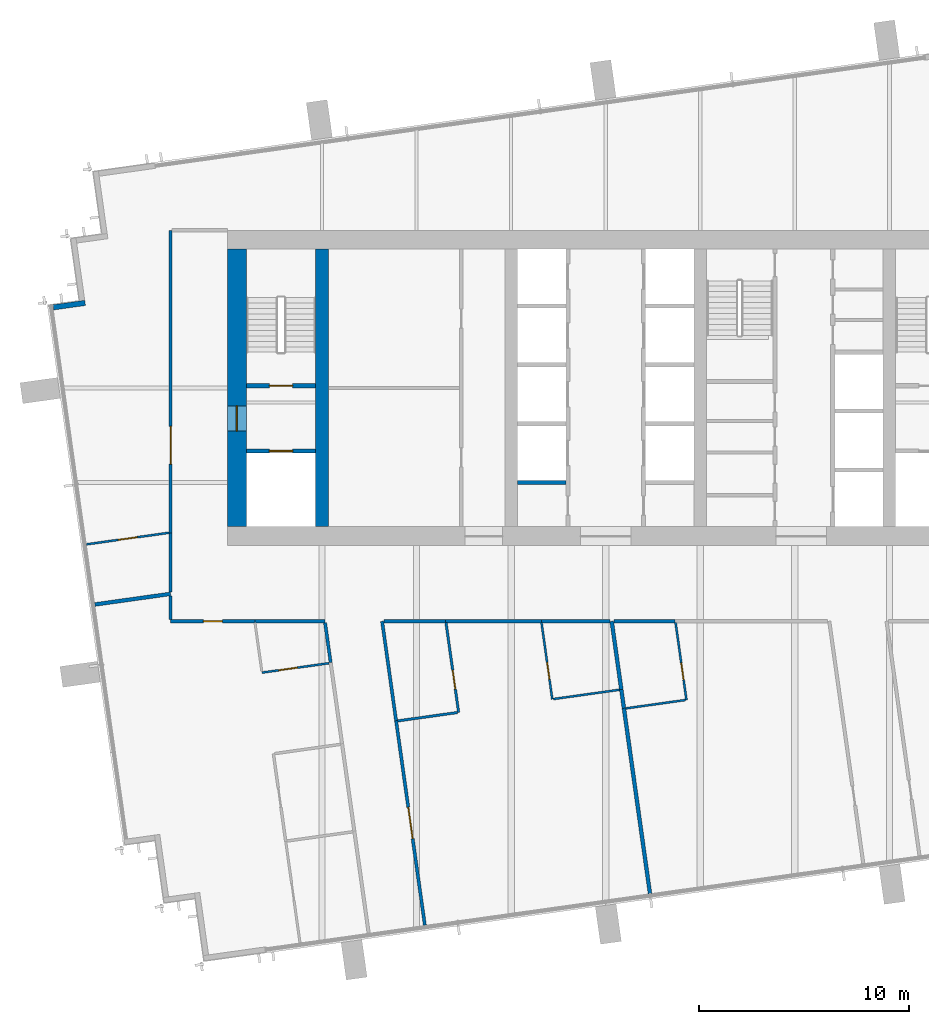
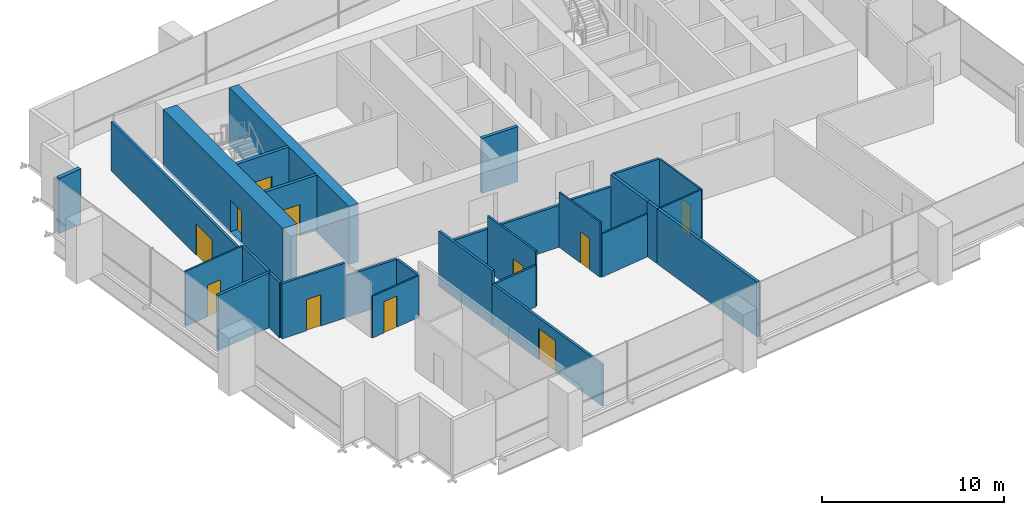
# One storey, part 8 of 12: 30 walls, 11 doors, 11 openings.
"""IFC4 building model written with IfcOpenShell, lengths in metres."""

from ifc_helpers import new_model, si_unit, direction, frame, frame_2d, origin, place, context, subcontext, project, spatial, rectangle, extrude, material, layer, layer_set, type_object, element, fill, save


model = new_model("IFC4")

# Units and contexts
model_context = context("Model", 3, precision=1e-05, world=origin(), true_north=direction((0.0, 1.0)))
body_context = subcontext(model_context, "Body", "Model", "MODEL_VIEW")
ifc_project = project(units=[si_unit("LENGTHUNIT", "METRE"), si_unit("AREAUNIT", "SQUARE_METRE"), si_unit("VOLUMEUNIT", "CUBIC_METRE"), si_unit("PLANEANGLEUNIT", "RADIAN"), si_unit("MASSUNIT", "GRAM", prefix="KILO")], contexts=[model_context])

# Site, building, storey
site_placement = place(None, origin())
site = spatial("IfcSite", under=ifc_project, at=site_placement, CompositionType="ELEMENT")
building_placement = place(site_placement, origin())
building = spatial("IfcBuilding", under=site, at=building_placement, Name="Rattan Terrace Tower", CompositionType="ELEMENT")
storey_placement = place(building_placement, frame((0.0, 0.0, 270.699951171875)))
storey = spatial("IfcBuildingStorey", under=building, at=storey_placement, Name="L62", CompositionType="ELEMENT", Elevation=270.699951171875)

# Wall, opening, door
ifc_material_1 = material(Name="Gypsum board partition")
ifc_layer_1 = layer(ifc_material_1, 0.199951171875)
ifc_layer_set_1 = layer_set([ifc_layer_1], Name="Core partition 200")
wall_type_1 = type_object("IfcWallType", Name="Core partition 200", PredefinedType="PARTITIONING", material=ifc_layer_set_1)
wall_1_placement = place(storey_placement, frame((-17.10009765625, -3.0, 0.0), z_axis=(0.0, 0.0, 1.0), x_axis=(1.0, 0.0, 0.0)))
wall_1 = element("IfcWall", 1, at=wall_1_placement, inside=storey, type_object=wall_type_1, Name="Fire-fighting lobby wall", PredefinedType="PARTITIONING", context=body_context, shape_type="SweptSolid", body=[
    extrude(rectangle(XDim=3.300048828125, YDim=0.199951171875, at=frame_2d((1.64990234375, 0.0))), origin(), (0.0, 0.0, 1.0), 3.699951171875),
])
opening_1_placement = place(wall_1_placement, frame((1.10009765625, 0.0, 0.0)))
opening_1 = element("IfcOpeningElement", 2, at=opening_1_placement, cuts=wall_1, Name="Opening L62-LD-FF1", PredefinedType="OPENING", context=body_context, shape_type="SweptSolid", body=[
    extrude(rectangle(XDim=1.10009765625, YDim=2.10009765625, at=frame_2d((0.550048828125, 1.050048828125))), frame((0.0, 0.110595703125, 0.0), z_axis=(0.0, -1.0, 0.0), x_axis=(1.0, 0.0, 0.0)), (0.0, 0.0, 1.0), 0.220947265625),
])
ifc_material_2 = material(Name="Brushed stainless landing door panel")
door_type_1 = type_object("IfcDoorType", Name="Core lift landing door 1100", OperationType="DOUBLE_DOOR_SLIDING", PredefinedType="DOOR", material=ifc_material_2)
door_1_placement = place(opening_1_placement, origin())
door_1 = element("IfcDoor", 3, at=door_1_placement, inside=storey, type_object=door_type_1, Name="Door L62-LD-FF1", OperationType="DOUBLE_DOOR_SLIDING", OverallHeight=2.10009765625, OverallWidth=1.10009765625, PredefinedType="DOOR", context=body_context, shape_type="SweptSolid", body=[
    extrude(rectangle(XDim=1.10009765625, YDim=2.10009765625, at=frame_2d((0.550048828125, 1.050048828125))), frame((0.0, 0.02490234375, 0.0), z_axis=(0.0, -1.0, 0.0), x_axis=(1.0, 0.0, 0.0)), (0.0, 0.0, 1.0), 0.050048828125),
])
fill(opening_1, door_1)

wall_2_placement = place(storey_placement, frame((-17.10009765625, 0.10009765625, 0.0), z_axis=(0.0, 0.0, 1.0), x_axis=(1.0, 0.0, 0.0)))
wall_2 = element("IfcWall", 4, at=wall_2_placement, inside=storey, type_object=wall_type_1, Name="Stair enclosure wall", PredefinedType="PARTITIONING", context=body_context, shape_type="SweptSolid", body=[
    extrude(rectangle(XDim=3.300048828125, YDim=0.199951171875, at=frame_2d((1.64990234375, 0.0))), origin(), (0.0, 0.0, 1.0), 3.699951171875),
])
opening_2_placement = place(wall_2_placement, frame((1.10009765625, 0.0, 0.0)))
opening_2 = element("IfcOpeningElement", 5, at=opening_2_placement, cuts=wall_2, Name="Opening L62-D002", PredefinedType="OPENING", context=body_context, shape_type="SweptSolid", body=[
    extrude(rectangle(XDim=1.10009765625, YDim=2.10009765625, at=frame_2d((0.550048828125, 1.050048828125))), frame((0.0, 0.110595703125, 0.0), z_axis=(0.0, -1.0, 0.0), x_axis=(1.0, 0.0, 0.0)), (0.0, 0.0, 1.0), 0.220947265625),
])
ifc_material_3 = material(Name="Hollow-metal fire door leaf")
door_type_2 = type_object("IfcDoorType", Name="Core stair door 1100", OperationType="NOTDEFINED", PredefinedType="DOOR", material=ifc_material_3)
door_2_placement = place(opening_2_placement, origin())
door_2 = element("IfcDoor", 6, at=door_2_placement, inside=storey, type_object=door_type_2, Name="Door L62-D002", OperationType="SINGLE_SWING_LEFT", OverallHeight=2.10009765625, OverallWidth=1.10009765625, PredefinedType="DOOR", context=body_context, shape_type="SweptSolid", body=[
    extrude(rectangle(XDim=1.10009765625, YDim=2.10009765625, at=frame_2d((0.550048828125, 1.050048828125))), frame((0.0, 0.02490234375, 0.0), z_axis=(0.0, -1.0, 0.0), x_axis=(1.0, 0.0, 0.0)), (0.0, 0.0, 1.0), 0.050048828125),
])
fill(opening_2, door_2)

ifc_material_4 = material(Name="Concrete C50/60", Category="concrete")
ifc_layer_2 = layer(ifc_material_4, 0.89990234375)
ifc_layer_set_2 = layer_set([ifc_layer_2], Name="Core ring wall 900 C50/60")
wall_type_2 = type_object("IfcWallType", Name="Core ring wall 900 C50/60", PredefinedType="SHEAR", material=ifc_layer_set_2)
wall_3_placement = place(storey_placement, frame((-17.550048828125, -6.60009765625, -0.199951171875), z_axis=(0.0, 0.0, 1.0), x_axis=(0.0, 1.0, 0.0)))
wall_3 = element("IfcWall", 7, at=wall_3_placement, inside=storey, type_object=wall_type_2, Name="Rear core wall west", PredefinedType="SHEAR", context=body_context, shape_type="SweptSolid", body=[
    extrude(rectangle(XDim=13.2001953125, YDim=0.89990234375, at=frame_2d((6.60009765625, 0.0))), origin(), (0.0, 0.0, 1.0), 3.89990234375),
])
opening_3_placement = place(wall_3_placement, frame((4.550048828125, 0.0, 0.199951171875)))
opening_3 = element("IfcOpeningElement", 8, at=opening_3_placement, cuts=wall_3, Name="Opening L62-D001", PredefinedType="OPENING", context=body_context, shape_type="SweptSolid", body=[
    extrude(rectangle(XDim=1.199951171875, YDim=2.10009765625, at=frame_2d((0.60009765625, 1.050048828125))), frame((0.0, 0.46044921875, 0.0), z_axis=(0.0, -1.0, 0.0), x_axis=(1.0, 0.0, 0.0)), (0.0, 0.0, 1.0), 0.9208984375),
])
ifc_material_5 = material(Name="Hollow-metal fire door leaf")
door_type_3 = type_object("IfcDoorType", Name="Core fire-fighting lobby door 1200", OperationType="NOTDEFINED", PredefinedType="DOOR", material=ifc_material_5)
door_3_placement = place(opening_3_placement, origin())
door_3 = element("IfcDoor", 9, at=door_3_placement, inside=storey, type_object=door_type_3, Name="Door L62-D001", OperationType="SINGLE_SWING_RIGHT", OverallHeight=2.10009765625, OverallWidth=1.199951171875, PredefinedType="DOOR", context=body_context, shape_type="SweptSolid", body=[
    extrude(rectangle(XDim=1.199951171875, YDim=2.10009765625, at=frame_2d((0.60009765625, 1.050048828125))), frame((0.0, 0.02490234375, 0.0), z_axis=(0.0, -1.0, 0.0), x_axis=(1.0, 0.0, 0.0)), (0.0, 0.0, 1.0), 0.050048828125),
])
fill(opening_3, door_3)

# Walls
ifc_material_6 = material(Name="Concrete C50/60", Category="concrete")
ifc_layer_3 = layer(ifc_material_6, 0.60009765625)
ifc_layer_set_3 = layer_set([ifc_layer_3], Name="Core spine wall 600 C50/60")
wall_type_3 = type_object("IfcWallType", Name="Core spine wall 600 C50/60", PredefinedType="SHEAR", material=ifc_layer_set_3)
wall_4_placement = place(storey_placement, frame((-13.5, -6.60009765625, -0.199951171875), z_axis=(0.0, 0.0, 1.0), x_axis=(0.0, 1.0, 0.0)))
element("IfcWall", 10, at=wall_4_placement, inside=storey, type_object=wall_type_3, Name="Core spine wall 1", PredefinedType="SHEAR", context=body_context, shape_type="SweptSolid", body=[
    extrude(rectangle(XDim=13.2001953125, YDim=0.60009765625, at=frame_2d((6.60009765625, 0.0))), origin(), (0.0, 0.0, 1.0), 3.89990234375),
])
ifc_material_7 = material(Name="Insulated aluminium-clad stud wall", Category="aluminium")
ifc_layer_4 = layer(ifc_material_7, 0.25)
ifc_layer_set_4 = layer_set([ifc_layer_4], Name="Facade Riser Wall 250")
wall_type_4 = type_object("IfcWallType", Name="Facade Riser Wall 250", PredefinedType="SOLIDWALL", material=ifc_layer_set_4)
wall_5_placement = place(storey_placement, frame((-24.769287109375, 4.045654296875, 0.0), z_axis=(0.0, 0.0, 1.0), x_axis=(-0.990260716096, -0.139225407725, 0.0)))
element("IfcWall", 11, at=wall_5_placement, inside=storey, type_object=wall_type_4, Name="Riser wall L62-15", PredefinedType="SOLIDWALL", context=body_context, shape_type="SweptSolid", body=[
    extrude(rectangle(XDim=1.525634765625, YDim=0.25, at=frame_2d((0.7626953125, 0.0))), origin(), (0.0, 0.0, 1.0), 3.699951171875),
])
ifc_material_8 = material(Name="Double steel stud acoustic partition, gypsum board, mineral wool, fire rated", Category="steel")
ifc_layer_5 = layer(ifc_material_8, 0.179931640625)
ifc_layer_set_5 = layer_set([ifc_layer_5], Name="Floors Acoustic Party Wall 180")
wall_type_5 = type_object("IfcWallType", Name="Floors Acoustic Party Wall 180", PredefinedType="PARTITIONING", material=ifc_layer_set_5)
wall_6_placement = place(storey_placement, frame((-24.303955078125, -10.302978515625, 0.0), z_axis=(0.0, 0.0, 1.0), x_axis=(0.990292681193, 0.138997861769, 0.0)))
element("IfcWall", 12, at=wall_6_placement, inside=storey, type_object=wall_type_5, Name="pt-L62-031", PredefinedType="PARTITIONING", context=body_context, shape_type="SweptSolid", body=[
    extrude(rectangle(XDim=3.639404296875, YDim=0.179931640625, at=frame_2d((1.81982421875, 0.0))), origin(), (0.0, 0.0, 1.0), 3.699951171875),
])
wall_7_placement = place(storey_placement, frame((0.867919921875, -15.239013671875, 0.0), z_axis=(0.0, 0.0, 1.0), x_axis=(0.139233409815, -0.990259591012, 0.0)))
element("IfcWall", 13, at=wall_7_placement, inside=storey, type_object=wall_type_5, Name="pt-L62-041", PredefinedType="PARTITIONING", context=body_context, shape_type="SweptSolid", body=[
    extrude(rectangle(XDim=8.90576171875, YDim=0.179931640625, at=frame_2d((4.452880859375, 0.0))), origin(), (0.0, 0.0, 1.0), 3.699951171875),
])
wall_8_placement = place(storey_placement, frame((0.742919921875, -14.34912109375, 0.0), z_axis=(0.0, 0.0, 1.0), x_axis=(0.139100809785, -0.990278225913, 0.0)))
element("IfcWall", 14, at=wall_8_placement, inside=storey, type_object=wall_type_5, Name="pt-L62-042", PredefinedType="PARTITIONING", context=body_context, shape_type="SweptSolid", body=[
    extrude(rectangle(XDim=0.898681640625, YDim=0.179931640625, at=frame_2d((0.44921875, 0.0))), origin(), (0.0, 0.0, 1.0), 3.699951171875),
])
wall_9_placement = place(storey_placement, frame((0.287109375, -11.10009765625, 0.0), z_axis=(0.0, 0.0, 1.0), x_axis=(0.13898222456, -0.990294875911, 0.0)))
element("IfcWall", 15, at=wall_9_placement, inside=storey, type_object=wall_type_5, Name="pt-L62-043", PredefinedType="PARTITIONING", context=body_context, shape_type="SweptSolid", body=[
    extrude(rectangle(XDim=3.279541015625, YDim=0.179931640625, at=frame_2d((1.6396484375, 0.0))), origin(), (0.0, 0.0, 1.0), 3.699951171875),
])

# Wall, opening, door
ifc_material_9 = material(Name="Gypsum board partition on steel studs", Category="steel")
ifc_layer_6 = layer(ifc_material_9, 0.10009765625)
ifc_layer_set_6 = layer_set([ifc_layer_6], Name="Floors Partition 100")
wall_type_6 = type_object("IfcWallType", Name="Floors Partition 100", PredefinedType="PARTITIONING", material=ifc_layer_set_6)
wall_10_placement = place(storey_placement, frame((-16.35205078125, -13.544921875, 0.0), z_axis=(0.0, 0.0, 1.0), x_axis=(0.990264894561, 0.13919568456, 0.0)))
wall_10 = element("IfcWall", 16, at=wall_10_placement, inside=storey, type_object=wall_type_6, Name="pt-L62-030", PredefinedType="PARTITIONING", context=body_context, shape_type="SweptSolid", body=[
    extrude(rectangle(XDim=3.2255859375, YDim=0.10009765625, at=frame_2d((1.61279296875, 0.0))), origin(), (0.0, 0.0, 1.0), 2.800048828125),
])
opening_4_placement = place(wall_10_placement, frame((0.798095703125, 0.0, 0.0)))
opening_4 = element("IfcOpeningElement", 17, at=opening_4_placement, cuts=wall_10, Name="Opening L62-D103", PredefinedType="OPENING", context=body_context, shape_type="SweptSolid", body=[
    extrude(rectangle(XDim=0.89990234375, YDim=2.10009765625, at=frame_2d((0.449951171875, 1.050048828125))), frame((0.0, 0.060546875, 0.0), z_axis=(0.0, -1.0, 0.0), x_axis=(1.0, 0.0, 0.0)), (0.0, 0.0, 1.0), 0.12109375),
])
ifc_material_10 = material(Name="Solid core timber door, painted", Category="wood")
door_type_4 = type_object("IfcDoorType", Name="Floors Door 900x2100", OperationType="NOTDEFINED", PredefinedType="DOOR", material=ifc_material_10)
door_4_placement = place(opening_4_placement, origin())
door_4 = element("IfcDoor", 18, at=door_4_placement, inside=storey, type_object=door_type_4, Name="d-L62-103", OperationType="SINGLE_SWING_LEFT", OverallHeight=2.10009765625, OverallWidth=0.89990234375, PredefinedType="DOOR", context=body_context, shape_type="SweptSolid", body=[
    extrude(rectangle(XDim=0.89990234375, YDim=2.10009765625, at=frame_2d((0.449951171875, 1.050048828125))), frame((0.0, 0.02490234375, 0.0), z_axis=(0.0, -1.0, 0.0), x_axis=(1.0, 0.0, 0.0)), (0.0, 0.0, 1.0), 0.050048828125),
])
fill(opening_4, door_4)

wall_11_placement = place(storey_placement, frame((-20.76806640625, -6.889892578125, 0.0), z_axis=(0.0, 0.0, 1.0), x_axis=(-0.990313393589, -0.138850215981, 0.0)))
wall_11 = element("IfcWall", 19, at=wall_11_placement, inside=storey, type_object=wall_type_6, Name="pt-L62-035", PredefinedType="PARTITIONING", context=body_context, shape_type="SweptSolid", body=[
    extrude(rectangle(XDim=3.9755859375, YDim=0.10009765625, at=frame_2d((1.98779296875, 0.0))), origin(), (0.0, 0.0, 1.0), 3.699951171875),
])
opening_5_placement = place(wall_11_placement, frame((1.5380859375, 0.0, 0.0)))
opening_5 = element("IfcOpeningElement", 20, at=opening_5_placement, cuts=wall_11, Name="Opening L62-D107", PredefinedType="OPENING", context=body_context, shape_type="SweptSolid", body=[
    extrude(rectangle(XDim=0.89990234375, YDim=2.10009765625, at=frame_2d((0.449951171875, 1.050048828125))), frame((0.0, 0.060546875, 0.0), z_axis=(0.0, -1.0, 0.0), x_axis=(1.0, 0.0, 0.0)), (0.0, 0.0, 1.0), 0.12109375),
])
door_5_placement = place(opening_5_placement, origin())
door_5 = element("IfcDoor", 21, at=door_5_placement, inside=storey, type_object=door_type_4, Name="d-L62-107", OperationType="SINGLE_SWING_RIGHT", OverallHeight=2.10009765625, OverallWidth=0.89990234375, PredefinedType="DOOR", context=body_context, shape_type="SweptSolid", body=[
    extrude(rectangle(XDim=0.89990234375, YDim=2.10009765625, at=frame_2d((0.449951171875, 1.050048828125))), frame((0.0, 0.02490234375, 0.0), z_axis=(0.0, -1.0, 0.0), x_axis=(1.0, 0.0, 0.0)), (0.0, 0.0, 1.0), 0.050048828125),
])
fill(opening_5, door_5)

wall_12_placement = place(storey_placement, frame((-3.052978515625, -11.16796875, 0.0), z_axis=(0.0, 0.0, 1.0), x_axis=(0.139199908751, -0.990264300782, 0.0)))
wall_12 = element("IfcWall", 22, at=wall_12_placement, inside=storey, type_object=wall_type_6, Name="pt-L62-039", PredefinedType="PARTITIONING", context=body_context, shape_type="SweptSolid", body=[
    extrude(rectangle(XDim=3.677978515625, YDim=0.10009765625, at=frame_2d((1.8388671875, 0.0))), origin(), (0.0, 0.0, 1.0), 3.699951171875),
])
opening_6_placement = place(wall_12_placement, frame((1.9150390625, 0.0, 0.0)))
opening_6 = element("IfcOpeningElement", 23, at=opening_6_placement, cuts=wall_12, Name="Opening L62-D111", PredefinedType="OPENING", context=body_context, shape_type="SweptSolid", body=[
    extrude(rectangle(XDim=0.800048828125, YDim=2.10009765625, at=frame_2d((0.39990234375, 1.050048828125))), frame((0.0, 0.060546875, 0.0), z_axis=(0.0, -1.0, 0.0), x_axis=(1.0, 0.0, 0.0)), (0.0, 0.0, 1.0), 0.12109375),
])
ifc_material_11 = material(Name="Solid core timber door, painted", Category="wood")
door_type_5 = type_object("IfcDoorType", Name="Floors Store Door 800x2100", OperationType="NOTDEFINED", PredefinedType="DOOR", material=ifc_material_11)
door_6_placement = place(opening_6_placement, origin())
door_6 = element("IfcDoor", 24, at=door_6_placement, inside=storey, type_object=door_type_5, Name="d-L62-111", OperationType="SINGLE_SWING_RIGHT", OverallHeight=2.10009765625, OverallWidth=0.800048828125, PredefinedType="DOOR", context=body_context, shape_type="SweptSolid", body=[
    extrude(rectangle(XDim=0.800048828125, YDim=2.10009765625, at=frame_2d((0.39990234375, 1.050048828125))), frame((0.0, 0.02490234375, 0.0), z_axis=(0.0, -1.0, 0.0), x_axis=(1.0, 0.0, 0.0)), (0.0, 0.0, 1.0), 0.050048828125),
])
fill(opening_6, door_6)

# Walls
wall_13_placement = place(storey_placement, frame((-2.491943359375, -14.802978515625, 0.0), z_axis=(0.0, 0.0, 1.0), x_axis=(0.990278754473, 0.139097046841, 0.0)))
element("IfcWall", 25, at=wall_13_placement, inside=storey, type_object=wall_type_6, Name="pt-L62-040", PredefinedType="PARTITIONING", context=body_context, shape_type="SweptSolid", body=[
    extrude(rectangle(XDim=3.1767578125, YDim=0.10009765625, at=frame_2d((1.58837890625, 0.0))), origin(), (0.0, 0.0, 1.0), 2.900146484375),
])
wall_14_placement = place(storey_placement, frame((0.9599609375, -15.2470703125, 0.0), z_axis=(0.0, 0.0, 1.0), x_axis=(0.990271288443, 0.139150189669, 0.0)))
element("IfcWall", 26, at=wall_14_placement, inside=storey, type_object=wall_type_6, Name="pt-L62-044", PredefinedType="PARTITIONING", context=body_context, shape_type="SweptSolid", body=[
    extrude(rectangle(XDim=2.85986328125, YDim=0.10009765625, at=frame_2d((1.429931640625, 0.0))), origin(), (0.0, 0.0, 1.0), 3.699951171875),
])

# Wall, opening, door
wall_15_placement = place(storey_placement, frame((3.842041015625, -14.842041015625, 0.0), z_axis=(0.0, 0.0, 1.0), x_axis=(-0.139108634852, 0.990277126722, 0.0)))
wall_15 = element("IfcWall", 27, at=wall_15_placement, inside=storey, type_object=wall_type_6, Name="pt-L62-045", PredefinedType="PARTITIONING", context=body_context, shape_type="SweptSolid", body=[
    extrude(rectangle(XDim=3.710205078125, YDim=0.10009765625, at=frame_2d((1.85498046875, 0.0))), origin(), (0.0, 0.0, 1.0), 3.699951171875),
])
opening_7_placement = place(wall_15_placement, frame((0.972900390625, 0.0, 0.0)))
opening_7 = element("IfcOpeningElement", 28, at=opening_7_placement, cuts=wall_15, Name="Opening L62-D113", PredefinedType="OPENING", context=body_context, shape_type="SweptSolid", body=[
    extrude(rectangle(XDim=0.800048828125, YDim=2.10009765625, at=frame_2d((0.39990234375, 1.050048828125))), frame((0.0, 0.060546875, 0.0), z_axis=(0.0, -1.0, 0.0), x_axis=(1.0, 0.0, 0.0)), (0.0, 0.0, 1.0), 0.12109375),
])
door_7_placement = place(opening_7_placement, origin())
door_7 = element("IfcDoor", 29, at=door_7_placement, inside=storey, type_object=door_type_5, Name="d-L62-113", OperationType="SINGLE_SWING_LEFT", OverallHeight=2.10009765625, OverallWidth=0.800048828125, PredefinedType="DOOR", context=body_context, shape_type="SweptSolid", body=[
    extrude(rectangle(XDim=0.800048828125, YDim=2.10009765625, at=frame_2d((0.39990234375, 1.050048828125))), frame((0.0, 0.02490234375, 0.0), z_axis=(0.0, -1.0, 0.0), x_axis=(1.0, 0.0, 0.0)), (0.0, 0.0, 1.0), 0.050048828125),
])
fill(opening_7, door_7)

# Wall
ifc_material_12 = material(Name="Gypsum board partition on steel studs, fire rated", Category="steel")
ifc_layer_7 = layer(ifc_material_12, 0.14990234375)
ifc_layer_set_7 = layer_set([ifc_layer_7], Name="Floors Tenancy Wall 150")
wall_type_7 = type_object("IfcWallType", Name="Floors Tenancy Wall 150", PredefinedType="PARTITIONING", material=ifc_layer_set_7)
wall_16_placement = place(storey_placement, frame((-20.699951171875, -11.02490234375, 0.0), z_axis=(0.0, 0.0, 1.0), x_axis=(0.0, 1.0, 0.0)))
element("IfcWall", 30, at=wall_16_placement, inside=storey, type_object=wall_type_7, Name="pt-L62-001", PredefinedType="PARTITIONING", context=body_context, shape_type="SweptSolid", body=[
    extrude(rectangle(XDim=1.126953125, YDim=0.14990234375, at=frame_2d((0.5634765625, 0.0))), origin(), (0.0, 0.0, 1.0), 3.699951171875),
])

# Wall, opening, door
wall_17_placement = place(storey_placement, frame((-16.676025390625, -11.10009765625, 0.0), z_axis=(0.0, 0.0, 1.0), x_axis=(-1.0, 0.0, 0.0)))
wall_17 = element("IfcWall", 31, at=wall_17_placement, inside=storey, type_object=wall_type_7, Name="pt-L62-002", PredefinedType="PARTITIONING", context=body_context, shape_type="SweptSolid", body=[
    extrude(rectangle(XDim=4.02392578125, YDim=0.14990234375, at=frame_2d((2.011962890625, 0.0))), origin(), (0.0, 0.0, 1.0), 3.699951171875),
])
opening_8_placement = place(wall_17_placement, frame((1.56201171875, 0.0, 0.0)))
opening_8 = element("IfcOpeningElement", 32, at=opening_8_placement, cuts=wall_17, Name="Opening L62-D100", PredefinedType="OPENING", context=body_context, shape_type="SweptSolid", body=[
    extrude(rectangle(XDim=0.89990234375, YDim=2.10009765625, at=frame_2d((0.449951171875, 1.050048828125))), frame((0.0, 0.08544921875, 0.0), z_axis=(0.0, -1.0, 0.0), x_axis=(1.0, 0.0, 0.0)), (0.0, 0.0, 1.0), 0.1708984375),
])
ifc_material_13 = material(Name="Steel fire door set", Category="steel")
door_type_6 = type_object("IfcDoorType", Name="Floors Fire Door FD30S 900x2100", OperationType="NOTDEFINED", PredefinedType="DOOR", material=ifc_material_13)
door_8_placement = place(opening_8_placement, origin())
door_8 = element("IfcDoor", 33, at=door_8_placement, inside=storey, type_object=door_type_6, Name="d-L62-100", OperationType="SINGLE_SWING_LEFT", OverallHeight=2.10009765625, OverallWidth=0.89990234375, PredefinedType="DOOR", context=body_context, shape_type="SweptSolid", body=[
    extrude(rectangle(XDim=0.89990234375, YDim=2.10009765625, at=frame_2d((0.449951171875, 1.050048828125))), frame((0.0, 0.02490234375, 0.0), z_axis=(0.0, -1.0, 0.0), x_axis=(1.0, 0.0, 0.0)), (0.0, 0.0, 1.0), 0.050048828125),
])
fill(opening_8, door_8)

# Walls
wall_18_placement = place(storey_placement, frame((-13.363037109375, -11.10009765625, 0.0), z_axis=(0.0, 0.0, 1.0), x_axis=(-1.0, 0.0, 0.0)))
element("IfcWall", 34, at=wall_18_placement, inside=storey, type_object=wall_type_7, Name="pt-L62-006", PredefinedType="PARTITIONING", context=body_context, shape_type="SweptSolid", body=[
    extrude(rectangle(XDim=3.31298828125, YDim=0.14990234375, at=frame_2d((1.656494140625, 0.0))), origin(), (0.0, 0.0, 1.0), 2.800048828125),
])
wall_19_placement = place(storey_placement, frame((-13.0859375, -13.06494140625, 0.0), z_axis=(0.0, 0.0, 1.0), x_axis=(-0.139292033523, 0.990251346577, 0.0)))
element("IfcWall", 35, at=wall_19_placement, inside=storey, type_object=wall_type_7, Name="pt-L62-007", PredefinedType="PARTITIONING", context=body_context, shape_type="SweptSolid", body=[
    extrude(rectangle(XDim=1.910400390625, YDim=0.14990234375, at=frame_2d((0.955078125, 0.0))), origin(), (0.0, 0.0, 1.0), 2.800048828125),
])

# Wall, opening, door
wall_20_placement = place(storey_placement, frame((-20.699951171875, -6.89990234375, 0.0), z_axis=(0.0, 0.0, 1.0), x_axis=(0.0, 1.0, 0.0)))
wall_20 = element("IfcWall", 36, at=wall_20_placement, inside=storey, type_object=wall_type_7, Name="pt-L62-012", PredefinedType="PARTITIONING", context=body_context, shape_type="SweptSolid", body=[
    extrude(rectangle(XDim=14.39990234375, YDim=0.14990234375, at=frame_2d((7.199951171875, 0.0))), origin(), (0.0, 0.0, 1.0), 3.300048828125),
])
opening_9_placement = place(wall_20_placement, frame((3.27490234375, 0.0, 0.0)))
opening_9 = element("IfcOpeningElement", 37, at=opening_9_placement, cuts=wall_20, Name="Opening L62-D106", PredefinedType="OPENING", context=body_context, shape_type="SweptSolid", body=[
    extrude(rectangle(XDim=1.800048828125, YDim=2.10009765625, at=frame_2d((0.89990234375, 1.050048828125))), frame((0.0, 0.08544921875, 0.0), z_axis=(0.0, -1.0, 0.0), x_axis=(1.0, 0.0, 0.0)), (0.0, 0.0, 1.0), 0.1708984375),
])
ifc_material_14 = material(Name="Steel fire door set", Category="steel")
door_type_7 = type_object("IfcDoorType", Name="Floors Fire Door Pair FD30S 1800x2100", OperationType="NOTDEFINED", PredefinedType="DOOR", material=ifc_material_14)
door_9_placement = place(opening_9_placement, origin())
door_9 = element("IfcDoor", 38, at=door_9_placement, inside=storey, type_object=door_type_7, Name="d-L62-106", OperationType="DOUBLE_DOOR_SINGLE_SWING", OverallHeight=2.10009765625, OverallWidth=1.800048828125, PredefinedType="DOOR", context=body_context, shape_type="SweptSolid", body=[
    extrude(rectangle(XDim=1.800048828125, YDim=2.10009765625, at=frame_2d((0.89990234375, 1.050048828125))), frame((0.0, 0.02490234375, 0.0), z_axis=(0.0, -1.0, 0.0), x_axis=(1.0, 0.0, 0.0)), (0.0, 0.0, 1.0), 0.050048828125),
])
fill(opening_9, door_9)

# Wall
wall_21_placement = place(storey_placement, frame((-20.698974609375, -9.7080078125, 0.0), z_axis=(0.0, 0.0, 1.0), x_axis=(0.0, 1.0, 0.0)))
element("IfcWall", 39, at=wall_21_placement, inside=storey, type_object=wall_type_7, Name="pt-L62-016", PredefinedType="PARTITIONING", context=body_context, shape_type="SweptSolid", body=[
    extrude(rectangle(XDim=2.80810546875, YDim=0.14990234375, at=frame_2d((1.404052734375, 0.0))), origin(), (0.0, 0.0, 1.0), 3.699951171875),
])

# Wall, opening, door
wall_22_placement = place(storey_placement, frame((-9.971923828125, -15.8330078125, 0.0), z_axis=(0.0, 0.0, 1.0), x_axis=(0.139205343882, -0.990263536759, 0.0)))
wall_22 = element("IfcWall", 40, at=wall_22_placement, inside=storey, type_object=wall_type_7, Name="pt-L62-018", PredefinedType="PARTITIONING", context=body_context, shape_type="SweptSolid", body=[
    extrude(rectangle(XDim=9.82666015625, YDim=0.14990234375, at=frame_2d((4.913330078125, 0.0))), origin(), (0.0, 0.0, 1.0), 2.800048828125),
])
opening_10_placement = place(wall_22_placement, frame((4.1630859375, 0.0, 0.0)))
opening_10 = element("IfcOpeningElement", 41, at=opening_10_placement, cuts=wall_22, Name="Opening L62-D109", PredefinedType="OPENING", context=body_context, shape_type="SweptSolid", body=[
    extrude(rectangle(XDim=1.5, YDim=2.10009765625, at=frame_2d((0.75, 1.050048828125))), frame((0.0, 0.08544921875, 0.0), z_axis=(0.0, -1.0, 0.0), x_axis=(1.0, 0.0, 0.0)), (0.0, 0.0, 1.0), 0.1708984375),
])
ifc_material_15 = material(Name="Steel fire door set", Category="steel")
door_type_8 = type_object("IfcDoorType", Name="Floors Unit Door Pair FD30S 1500x2100", OperationType="NOTDEFINED", PredefinedType="DOOR", material=ifc_material_15)
door_10_placement = place(opening_10_placement, origin())
door_10 = element("IfcDoor", 42, at=door_10_placement, inside=storey, type_object=door_type_8, Name="d-L62-109", OperationType="DOUBLE_DOOR_SINGLE_SWING", OverallHeight=2.10009765625, OverallWidth=1.5, PredefinedType="DOOR", context=body_context, shape_type="SweptSolid", body=[
    extrude(rectangle(XDim=1.5, YDim=2.10009765625, at=frame_2d((0.75, 1.050048828125))), frame((0.0, 0.02490234375, 0.0), z_axis=(0.0, -1.0, 0.0), x_axis=(1.0, 0.0, 0.0)), (0.0, 0.0, 1.0), 0.050048828125),
])
fill(opening_10, door_10)

# Walls
wall_23_placement = place(storey_placement, frame((-3.04296875, -11.10009765625, 0.0), z_axis=(0.0, 0.0, 1.0), x_axis=(-1.0, 0.0, 0.0)))
element("IfcWall", 43, at=wall_23_placement, inside=storey, type_object=wall_type_7, Name="pt-L62-019", PredefinedType="PARTITIONING", context=body_context, shape_type="SweptSolid", body=[
    extrude(rectangle(XDim=4.583984375, YDim=0.14990234375, at=frame_2d((2.2919921875, 0.0))), origin(), (0.0, 0.0, 1.0), 2.800048828125),
])
wall_24_placement = place(storey_placement, frame((-10.636962890625, -11.10009765625, 0.0), z_axis=(0.0, 0.0, 1.0), x_axis=(0.139146821365, -0.990271761742, 0.0)))
element("IfcWall", 44, at=wall_24_placement, inside=storey, type_object=wall_type_7, Name="pt-L62-020", PredefinedType="PARTITIONING", context=body_context, shape_type="SweptSolid", body=[
    extrude(rectangle(XDim=4.779296875, YDim=0.14990234375, at=frame_2d((2.3896484375, 0.0))), origin(), (0.0, 0.0, 1.0), 3.699951171875),
])
wall_25_placement = place(storey_placement, frame((-7.626953125, -11.09912109375, 0.0), z_axis=(0.0, 0.0, 1.0), x_axis=(-1.0, 0.0, 0.0)))
element("IfcWall", 45, at=wall_25_placement, inside=storey, type_object=wall_type_7, Name="pt-L62-021", PredefinedType="PARTITIONING", context=body_context, shape_type="SweptSolid", body=[
    extrude(rectangle(XDim=2.924072265625, YDim=0.14990234375, at=frame_2d((1.4619140625, 0.0))), origin(), (0.0, 0.0, 1.0), 2.800048828125),
])
wall_26_placement = place(storey_placement, frame((0.197998046875, -11.09912109375, 0.0), z_axis=(0.0, 0.0, 1.0), x_axis=(-1.0, 0.0, 0.0)))
element("IfcWall", 46, at=wall_26_placement, inside=storey, type_object=wall_type_7, Name="pt-L62-022", PredefinedType="PARTITIONING", context=body_context, shape_type="SweptSolid", body=[
    extrude(rectangle(XDim=3.240966796875, YDim=0.14990234375, at=frame_2d((1.62060546875, 0.0))), origin(), (0.0, 0.0, 1.0), 2.900146484375),
])
wall_27_placement = place(storey_placement, frame((3.2958984375, -11.10009765625, 0.0), z_axis=(0.0, 0.0, 1.0), x_axis=(-1.0, 0.0, 0.0)))
element("IfcWall", 47, at=wall_27_placement, inside=storey, type_object=wall_type_7, Name="pt-L62-025", PredefinedType="PARTITIONING", context=body_context, shape_type="SweptSolid", body=[
    extrude(rectangle(XDim=2.907958984375, YDim=0.14990234375, at=frame_2d((1.4541015625, 0.0))), origin(), (0.0, 0.0, 1.0), 3.699951171875),
])
ifc_material_16 = material(Name="Moisture resistant gypsum board partition on steel studs with service cavity", Category="steel")
ifc_layer_8 = layer(ifc_material_16, 0.1201171875)
ifc_layer_set_8 = layer_set([ifc_layer_8], Name="Floors Wet Wall 120")
wall_type_8 = type_object("IfcWallType", Name="Floors Wet Wall 120", PredefinedType="PARTITIONING", material=ifc_layer_set_8)
wall_28_placement = place(storey_placement, frame((-9.89501953125, -15.843017578125, 0.0), z_axis=(0.0, 0.0, 1.0), x_axis=(0.990265570358, 0.139190876728, 0.0)))
element("IfcWall", 48, at=wall_28_placement, inside=storey, type_object=wall_type_8, Name="pt-L62-037", PredefinedType="PARTITIONING", context=body_context, shape_type="SweptSolid", body=[
    extrude(rectangle(XDim=2.865966796875, YDim=0.1201171875, at=frame_2d((1.43310546875, 0.0))), origin(), (0.0, 0.0, 1.0), 2.800048828125),
])

# Wall, opening, door
wall_29_placement = place(storey_placement, frame((-6.998046875, -15.43603515625, 0.0), z_axis=(0.0, 0.0, 1.0), x_axis=(-0.139145497857, 0.990271947712, 0.0)))
wall_29 = element("IfcWall", 49, at=wall_29_placement, inside=storey, type_object=wall_type_8, Name="pt-L62-038", PredefinedType="PARTITIONING", context=body_context, shape_type="SweptSolid", body=[
    extrude(rectangle(XDim=4.31103515625, YDim=0.1201171875, at=frame_2d((2.155517578125, 0.0))), origin(), (0.0, 0.0, 1.0), 3.699951171875),
])
opening_11_placement = place(wall_29_placement, frame((1.123046875, 0.0, 0.0)))
opening_11 = element("IfcOpeningElement", 50, at=opening_11_placement, cuts=wall_29, Name="Opening L62-D110", PredefinedType="OPENING", context=body_context, shape_type="SweptSolid", body=[
    extrude(rectangle(XDim=0.89990234375, YDim=2.10009765625, at=frame_2d((0.449951171875, 1.050048828125))), frame((0.0, 0.070556640625, 0.0), z_axis=(0.0, -1.0, 0.0), x_axis=(1.0, 0.0, 0.0)), (0.0, 0.0, 1.0), 0.14111328125),
])
door_11_placement = place(opening_11_placement, origin())
door_11 = element("IfcDoor", 51, at=door_11_placement, inside=storey, type_object=door_type_4, Name="d-L62-110", OperationType="SINGLE_SWING_LEFT", OverallHeight=2.10009765625, OverallWidth=0.89990234375, PredefinedType="DOOR", context=body_context, shape_type="SweptSolid", body=[
    extrude(rectangle(XDim=0.89990234375, YDim=2.10009765625, at=frame_2d((0.449951171875, 1.050048828125))), frame((0.0, 0.02490234375, 0.0), z_axis=(0.0, -1.0, 0.0), x_axis=(1.0, 0.0, 0.0)), (0.0, 0.0, 1.0), 0.050048828125),
])
fill(opening_11, door_11)

# Wall
ifc_material_17 = material(Name="Gypsum shaft wall system")
ifc_layer_9 = layer(ifc_material_17, 0.199951171875)
ifc_layer_set_9 = layer_set([ifc_layer_9], Name="Lift shaft wall 200")
wall_type_9 = type_object("IfcWallType", Name="Lift shaft wall 200", PredefinedType="PARTITIONING", material=ifc_layer_set_9)
wall_30_placement = place(storey_placement, frame((-4.199951171875, -4.5, 0.0), z_axis=(0.0, 0.0, 1.0), x_axis=(1.0, 0.0, 0.0)))
element("IfcWall", 52, at=wall_30_placement, inside=storey, type_object=wall_type_9, Name="Lift shaft wall", PredefinedType="PARTITIONING", context=body_context, shape_type="SweptSolid", body=[
    extrude(rectangle(XDim=2.300048828125, YDim=0.199951171875, at=frame_2d((1.14990234375, 0.0))), origin(), (0.0, 0.0, 1.0), 3.699951171875),
])

save(model, "model.ifc")
